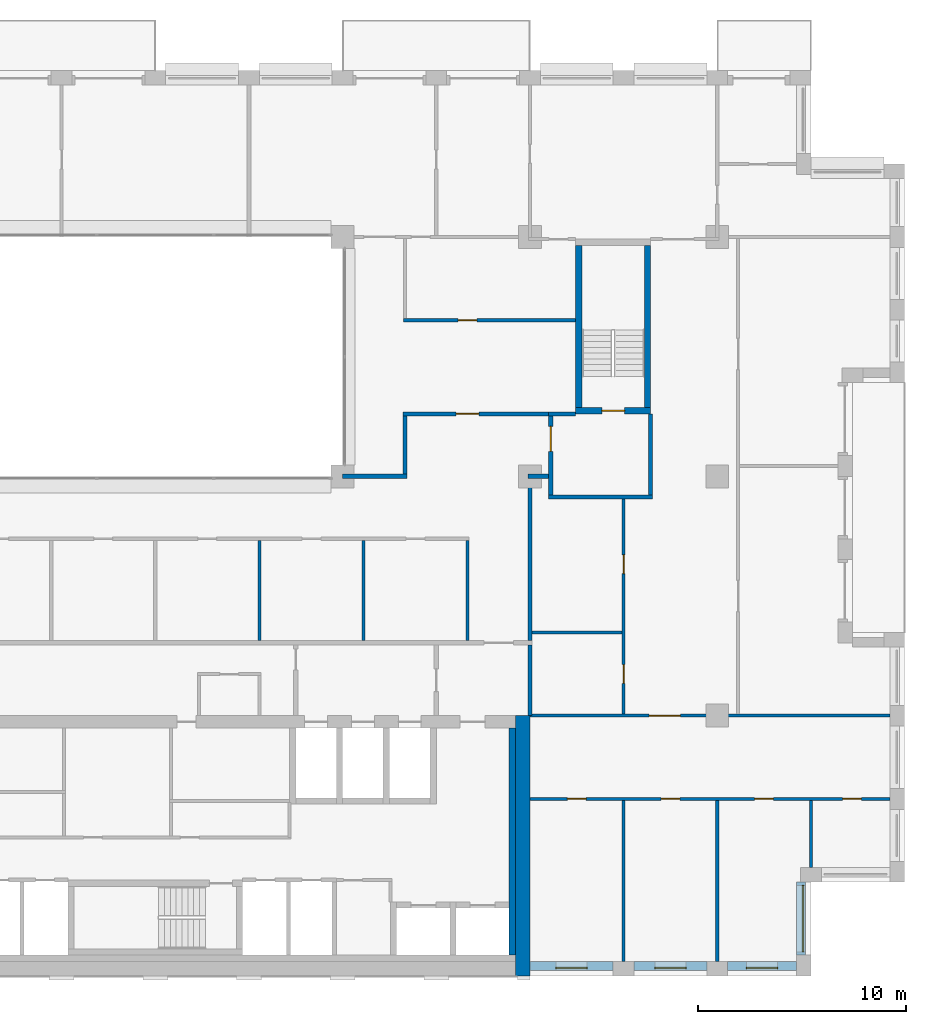
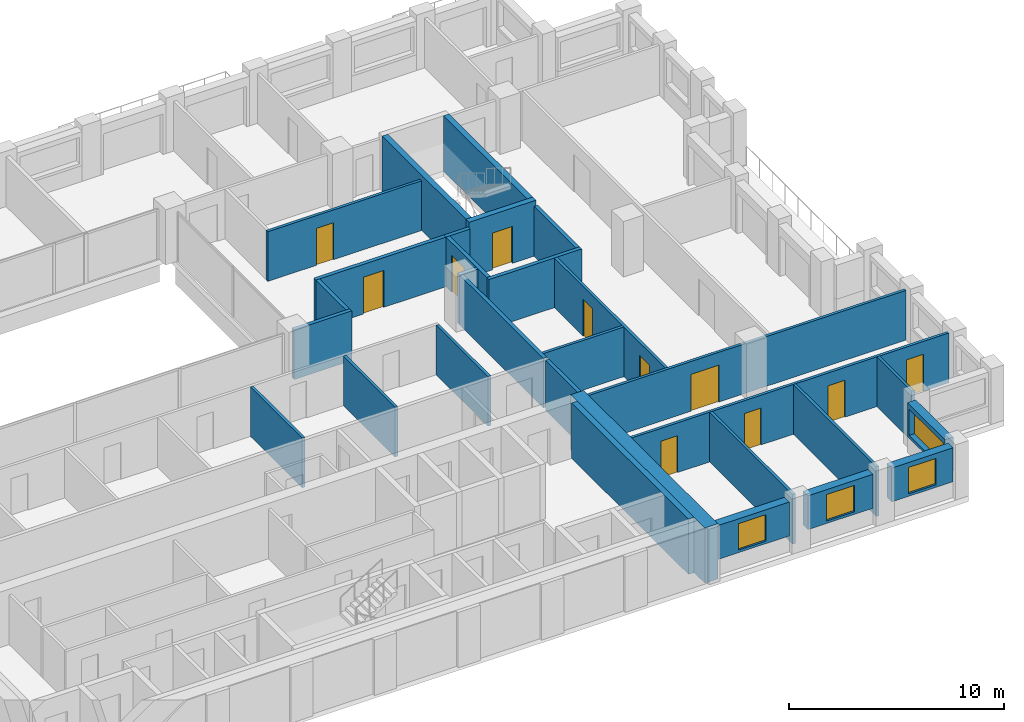
# One storey, part 11 of 15: 30 walls, 11 doors, 4 windows, 15 openings.
"""IFC4 building model written with IfcOpenShell, lengths in metres."""

from ifc_helpers import new_model, si_unit, direction, frame, frame_2d, origin, place, context, subcontext, project, spatial, rectangle, extrude, material, layer, layer_set, type_object, element, fill, save


model = new_model("IFC4")

# Units and contexts
model_context = context("Model", 3, precision=1e-05, world=origin(), true_north=direction((0.0, 1.0)))
body_context = subcontext(model_context, "Body", "Model", "MODEL_VIEW")
ifc_project = project(units=[si_unit("LENGTHUNIT", "METRE"), si_unit("AREAUNIT", "SQUARE_METRE"), si_unit("VOLUMEUNIT", "CUBIC_METRE"), si_unit("PLANEANGLEUNIT", "RADIAN"), si_unit("MASSUNIT", "GRAM", prefix="KILO")], contexts=[model_context])

# Site, building, storey
site_placement = place(None, origin())
site = spatial("IfcSite", under=ifc_project, at=site_placement, CompositionType="ELEMENT")
building_placement = place(site_placement, origin())
building = spatial("IfcBuilding", under=site, at=building_placement, Name="Brigalow Station Residences", CompositionType="ELEMENT")
storey_placement = place(building_placement, frame((0.0, 0.0, 150.75)))
storey = spatial("IfcBuildingStorey", under=building, at=storey_placement, Name="L43", CompositionType="ELEMENT", Elevation=150.75)

# Wall, opening, window
ifc_material_1 = material(Name="Clay brick masonry", Category="masonry")
ifc_layer_1 = layer(ifc_material_1, 0.449951171875)
ifc_layer_set_1 = layer_set([ifc_layer_1], Name="BRICK INFILL WALL 450")
wall_type_1 = type_object("IfcWallType", Name="BRICK INFILL WALL 450", PredefinedType="SOLIDWALL", material=ifc_layer_set_1)
wall_1_placement = place(storey_placement, frame((54.0, 0.47509765625, 0.89990234375), z_axis=(0.0, 0.0, 1.0), x_axis=(1.0, 0.0, 0.0)))
wall_1 = element("IfcWall", 1, at=wall_1_placement, inside=storey, type_object=wall_type_1, Name="L43/ewall/W-L43-4", PredefinedType="SOLIDWALL", context=body_context, shape_type="SweptSolid", body=[
    extrude(rectangle(XDim=4.0, YDim=0.449951171875, at=frame_2d((2.0, 0.0))), origin(), (0.0, 0.0, 1.0), 1.93017578125),
])
opening_1_placement = place(wall_1_placement, frame((1.25, 0.0, 0.14990234375)))
opening_1 = element("IfcOpeningElement", 2, at=opening_1_placement, cuts=wall_1, Name="Opening WT-1", PredefinedType="OPENING", context=body_context, shape_type="SweptSolid", body=[
    extrude(rectangle(XDim=1.5, YDim=1.5, at=frame_2d((0.75, 0.75))), frame((0.0, 0.23486328125, 0.0), z_axis=(0.0, -1.0, 0.0), x_axis=(1.0, 0.0, 0.0)), (0.0, 0.0, 1.0), 0.469970703125),
])
ifc_material_2 = material(Name="Anodised aluminium frame with double glazing", Category="aluminium")
window_type_1 = type_object("IfcWindowType", Name="WINDOW 1500x1500", PartitioningType="SINGLE_PANEL", PredefinedType="WINDOW", material=ifc_material_2)
window_1_placement = place(opening_1_placement, origin())
window_1 = element("IfcWindow", 3, at=window_1_placement, inside=storey, type_object=window_type_1, Name="L43/window/W-L43-4", OverallHeight=1.5, OverallWidth=1.5, PartitioningType="SINGLE_PANEL", PredefinedType="WINDOW", context=body_context, shape_type="SweptSolid", body=[
    extrude(rectangle(XDim=1.5, YDim=1.5, at=frame_2d((0.75, 0.75))), frame((0.0, -0.06494140625, 0.0), z_axis=(0.0, -1.0, 0.0), x_axis=(1.0, 0.0, 0.0)), (0.0, 0.0, 1.0), 0.06005859375),
])
fill(opening_1, window_1)

wall_2_placement = place(storey_placement, frame((59.0, 0.47509765625, 0.89990234375), z_axis=(0.0, 0.0, 1.0), x_axis=(1.0, 0.0, 0.0)))
wall_2 = element("IfcWall", 4, at=wall_2_placement, inside=storey, type_object=wall_type_1, Name="L43/ewall/W-L43-5", PredefinedType="SOLIDWALL", context=body_context, shape_type="SweptSolid", body=[
    extrude(rectangle(XDim=3.5, YDim=0.449951171875, at=frame_2d((1.75, 0.0))), origin(), (0.0, 0.0, 1.0), 1.93017578125),
])
opening_2_placement = place(wall_2_placement, frame((1.0, 0.0, 0.14990234375)))
opening_2 = element("IfcOpeningElement", 5, at=opening_2_placement, cuts=wall_2, Name="Opening WT-1", PredefinedType="OPENING", context=body_context, shape_type="SweptSolid", body=[
    extrude(rectangle(XDim=1.5, YDim=1.5, at=frame_2d((0.75, 0.75))), frame((0.0, 0.23486328125, 0.0), z_axis=(0.0, -1.0, 0.0), x_axis=(1.0, 0.0, 0.0)), (0.0, 0.0, 1.0), 0.469970703125),
])
window_2_placement = place(opening_2_placement, origin())
window_2 = element("IfcWindow", 6, at=window_2_placement, inside=storey, type_object=window_type_1, Name="L43/window/W-L43-5", OverallHeight=1.5, OverallWidth=1.5, PartitioningType="SINGLE_PANEL", PredefinedType="WINDOW", context=body_context, shape_type="SweptSolid", body=[
    extrude(rectangle(XDim=1.5, YDim=1.5, at=frame_2d((0.75, 0.75))), frame((0.0, -0.06494140625, 0.0), z_axis=(0.0, -1.0, 0.0), x_axis=(1.0, 0.0, 0.0)), (0.0, 0.0, 1.0), 0.06005859375),
])
fill(opening_2, window_2)

wall_3_placement = place(storey_placement, frame((63.5, 0.47509765625, 0.89990234375), z_axis=(0.0, 0.0, 1.0), x_axis=(1.0, 0.0, 0.0)))
wall_3 = element("IfcWall", 7, at=wall_3_placement, inside=storey, type_object=wall_type_1, Name="L43/ewall/W-L43-6", PredefinedType="SOLIDWALL", context=body_context, shape_type="SweptSolid", body=[
    extrude(rectangle(XDim=3.300048828125, YDim=0.449951171875, at=frame_2d((1.64990234375, 0.0))), origin(), (0.0, 0.0, 1.0), 1.93017578125),
])
opening_3_placement = place(wall_3_placement, frame((0.89990234375, 0.0, 0.14990234375)))
opening_3 = element("IfcOpeningElement", 8, at=opening_3_placement, cuts=wall_3, Name="Opening WT-1", PredefinedType="OPENING", context=body_context, shape_type="SweptSolid", body=[
    extrude(rectangle(XDim=1.5, YDim=1.5, at=frame_2d((0.75, 0.75))), frame((0.0, 0.23486328125, 0.0), z_axis=(0.0, -1.0, 0.0), x_axis=(1.0, 0.0, 0.0)), (0.0, 0.0, 1.0), 0.469970703125),
])
window_3_placement = place(opening_3_placement, origin())
window_3 = element("IfcWindow", 9, at=window_3_placement, inside=storey, type_object=window_type_1, Name="L43/window/W-L43-6", OverallHeight=1.5, OverallWidth=1.5, PartitioningType="SINGLE_PANEL", PredefinedType="WINDOW", context=body_context, shape_type="SweptSolid", body=[
    extrude(rectangle(XDim=1.5, YDim=1.5, at=frame_2d((0.75, 0.75))), frame((0.0, -0.06494140625, 0.0), z_axis=(0.0, -1.0, 0.0), x_axis=(1.0, 0.0, 0.0)), (0.0, 0.0, 1.0), 0.06005859375),
])
fill(opening_3, window_3)

wall_4_placement = place(storey_placement, frame((67.02490234375, 1.0, 0.89990234375), z_axis=(0.0, 0.0, 1.0), x_axis=(0.0, 1.0, 0.0)))
wall_4 = element("IfcWall", 10, at=wall_4_placement, inside=storey, type_object=wall_type_1, Name="L43/ewall/W-L43-7", PredefinedType="SOLIDWALL", context=body_context, shape_type="SweptSolid", body=[
    extrude(rectangle(XDim=3.5, YDim=0.449951171875, at=frame_2d((1.75, 0.0))), origin(), (0.0, 0.0, 1.0), 1.93017578125),
])
opening_4_placement = place(wall_4_placement, frame((0.14990234375, 0.0, 0.14990234375)))
opening_4 = element("IfcOpeningElement", 11, at=opening_4_placement, cuts=wall_4, Name="Opening WT-9", PredefinedType="OPENING", context=body_context, shape_type="SweptSolid", body=[
    extrude(rectangle(XDim=3.199951171875, YDim=1.5, at=frame_2d((1.60009765625, 0.75))), frame((0.0, 0.23486328125, 0.0), z_axis=(0.0, -1.0, 0.0), x_axis=(1.0, 0.0, 0.0)), (0.0, 0.0, 1.0), 0.469970703125),
])
ifc_material_3 = material(Name="Anodised aluminium frame with double glazing", Category="aluminium")
window_type_2 = type_object("IfcWindowType", Name="WINDOW 3200x1500", PartitioningType="SINGLE_PANEL", PredefinedType="WINDOW", material=ifc_material_3)
window_4_placement = place(opening_4_placement, origin())
window_4 = element("IfcWindow", 12, at=window_4_placement, inside=storey, type_object=window_type_2, Name="L43/window/W-L43-7", OverallHeight=1.5, OverallWidth=3.199951171875, PartitioningType="SINGLE_PANEL", PredefinedType="WINDOW", context=body_context, shape_type="SweptSolid", body=[
    extrude(rectangle(XDim=3.199951171875, YDim=1.5, at=frame_2d((1.60009765625, 0.75))), frame((0.0, -0.06494140625, 0.0), z_axis=(0.0, -1.0, 0.0), x_axis=(1.0, 0.0, 0.0)), (0.0, 0.0, 1.0), 0.06005859375),
])
fill(opening_4, window_4)

# Wall
ifc_material_4 = material(Name="Concrete C65", Category="concrete")
ifc_layer_2 = layer(ifc_material_4, 0.300048828125)
ifc_layer_set_2 = layer_set([ifc_layer_2], Name="CORE SHEAR WALL 300 C65")
wall_type_2 = type_object("IfcWallType", Name="CORE SHEAR WALL 300 C65", PredefinedType="SHEAR", material=ifc_layer_set_2)
wall_5_placement = place(storey_placement, frame((53.14990234375, 1.0, 0.0), z_axis=(0.0, 0.0, 1.0), x_axis=(0.0, 1.0, 0.0)))
element("IfcWall", 13, at=wall_5_placement, inside=storey, type_object=wall_type_2, Name="CORE WALL LIN-E L43", PredefinedType="SHEAR", context=body_context, shape_type="SweptSolid", body=[
    extrude(rectangle(XDim=10.89990234375, YDim=0.300048828125, at=frame_2d((5.449951171875, 0.0))), origin(), (0.0, 0.0, 1.0), 3.14990234375),
])

# Wall, opening, door
wall_6_placement = place(storey_placement, frame((56.199951171875, 27.14990234375, 0.0), z_axis=(0.0, 0.0, 1.0), x_axis=(1.0, 0.0, 0.0)))
wall_6 = element("IfcWall", 14, at=wall_6_placement, inside=storey, type_object=wall_type_2, Name="CORE WALL ST-S3-S L43", PredefinedType="SHEAR", context=body_context, shape_type="SweptSolid", body=[
    extrude(rectangle(XDim=3.60009765625, YDim=0.300048828125, at=frame_2d((1.800048828125, 0.0))), origin(), (0.0, 0.0, 1.0), 3.14990234375),
])
opening_5_placement = place(wall_6_placement, frame((1.25, 0.0, 0.0)))
opening_5 = element("IfcOpeningElement", 15, at=opening_5_placement, cuts=wall_6, Name="Opening D-5018", PredefinedType="OPENING", context=body_context, shape_type="SweptSolid", body=[
    extrude(rectangle(XDim=1.10009765625, YDim=2.10009765625, at=frame_2d((0.550048828125, 1.050048828125))), frame((0.0, 0.16015625, 0.0), z_axis=(0.0, -1.0, 0.0), x_axis=(1.0, 0.0, 0.0)), (0.0, 0.0, 1.0), 0.320068359375),
])
ifc_material_5 = material(Name="Steel fire door leaf in steel frame", Category="steel")
door_type_1 = type_object("IfcDoorType", Name="STAIR DOOR 1100 x 2100 FD60S", OperationType="SINGLE_SWING_LEFT", PredefinedType="DOOR", material=ifc_material_5)
door_1_placement = place(opening_5_placement, origin())
door_1 = element("IfcDoor", 16, at=door_1_placement, inside=storey, type_object=door_type_1, Name="D-5018", OperationType="SINGLE_SWING_LEFT", OverallHeight=2.10009765625, OverallWidth=1.10009765625, PredefinedType="DOOR", context=body_context, shape_type="SweptSolid", body=[
    extrude(rectangle(XDim=1.10009765625, YDim=2.10009765625, at=frame_2d((0.550048828125, 1.050048828125))), frame((0.0, 0.02490234375, 0.0), z_axis=(0.0, -1.0, 0.0), x_axis=(1.0, 0.0, 0.0)), (0.0, 0.0, 1.0), 0.050048828125),
])
fill(opening_5, door_1)

# Walls
for number, where, z_axis, x_axis, name in (
    (17, (56.35009765625, 27.300048828125, 0.0), (0.0, 0.0, 1.0), (0.0, 1.0, 0.0), "CORE WALL ST-S3-W L43"),
    (18, (59.64990234375, 27.300048828125, 0.0), (0.0, 0.0, 1.0), (0.0, 1.0, 0.0), "CORE WALL ST-S3-E L43"),
):
    element("IfcWall", number, at=place(storey_placement, frame(where, z_axis=z_axis, x_axis=x_axis)), inside=storey, type_object=wall_type_2, Name=name, PredefinedType="SHEAR", context=body_context, shape_type="SweptSolid", body=[
        extrude(rectangle(XDim=7.800048828125, YDim=0.300048828125, at=frame_2d((3.89990234375, 0.0))), origin(), (0.0, 0.0, 1.0), 3.14990234375),
    ])
ifc_material_6 = material(Name="Concrete C65", Category="concrete")
ifc_layer_3 = layer(ifc_material_6, 0.699951171875)
ifc_layer_set_3 = layer_set([ifc_layer_3], Name="CORE SHEAR WALL 700 C65")
wall_type_3 = type_object("IfcWallType", Name="CORE SHEAR WALL 700 C65", PredefinedType="SHEAR", material=ifc_layer_set_3)
wall_7_placement = place(storey_placement, frame((53.64990234375, 0.0, 0.0), z_axis=(0.0, 0.0, 1.0), x_axis=(0.0, 1.0, 0.0)))
element("IfcWall", 19, at=wall_7_placement, inside=storey, type_object=wall_type_3, Name="CORE WALL OUT-E L43", PredefinedType="SHEAR", context=body_context, shape_type="SweptSolid", body=[
    extrude(rectangle(XDim=12.5, YDim=0.699951171875, at=frame_2d((6.25, 0.0))), origin(), (0.0, 0.0, 1.0), 3.14990234375),
])
ifc_material_7 = material(Name="Concrete blockwork", Category="masonry")
ifc_layer_4 = layer(ifc_material_7, 0.199951171875)
ifc_layer_set_4 = layer_set([ifc_layer_4], Name="FIRE RATED CORE PARTITION 200")
wall_type_4 = type_object("IfcWallType", Name="FIRE RATED CORE PARTITION 200", PredefinedType="PARTITIONING", material=ifc_layer_set_4)
wall_8_placement = place(storey_placement, frame((54.89990234375, 23.0, 0.0), z_axis=(0.0, 0.0, 1.0), x_axis=(1.0, 0.0, 0.0)))
element("IfcWall", 20, at=wall_8_placement, inside=storey, type_object=wall_type_4, Name="PW-5024", PredefinedType="PARTITIONING", context=body_context, shape_type="SweptSolid", body=[
    extrude(rectangle(XDim=5.0, YDim=0.199951171875, at=frame_2d((2.5, 0.0))), origin(), (0.0, 0.0, 1.0), 2.830078125),
])
wall_9_placement = place(storey_placement, frame((54.89990234375, 27.0, 0.0), z_axis=(0.0, 0.0, 1.0), x_axis=(1.0, 0.0, 0.0)))
element("IfcWall", 21, at=wall_9_placement, inside=storey, type_object=wall_type_4, Name="PW-5026", PredefinedType="PARTITIONING", context=body_context, shape_type="SweptSolid", body=[
    extrude(rectangle(XDim=1.300048828125, YDim=0.199951171875, at=frame_2d((0.64990234375, 0.0))), origin(), (0.0, 0.0, 1.0), 2.830078125),
])
wall_10_placement = place(storey_placement, frame((54.0, 12.5, 0.0), z_axis=(0.0, 0.0, 1.0), x_axis=(0.0, 1.0, 0.0)))
element("IfcWall", 22, at=wall_10_placement, inside=storey, type_object=wall_type_4, Name="PW-5016", PredefinedType="PARTITIONING", context=body_context, shape_type="SweptSolid", body=[
    extrude(rectangle(XDim=3.39990234375, YDim=0.199951171875, at=frame_2d((1.699951171875, 0.0))), origin(), (0.0, 0.0, 1.0), 2.830078125),
])

# Wall, opening, door
wall_11_placement = place(storey_placement, frame((55.0, 23.10009765625, 0.0), z_axis=(0.0, 0.0, 1.0), x_axis=(0.0, 1.0, 0.0)))
wall_11 = element("IfcWall", 23, at=wall_11_placement, inside=storey, type_object=wall_type_4, Name="PW-5036", PredefinedType="PARTITIONING", context=body_context, shape_type="SweptSolid", body=[
    extrude(rectangle(XDim=3.7998046875, YDim=0.199951171875, at=frame_2d((1.89990234375, 0.0))), origin(), (0.0, 0.0, 1.0), 2.830078125),
])
opening_6_placement = place(wall_11_placement, frame((2.10009765625, 0.0, 0.0)))
opening_6 = element("IfcOpeningElement", 24, at=opening_6_placement, cuts=wall_11, Name="Opening D-5019", PredefinedType="OPENING", context=body_context, shape_type="SweptSolid", body=[
    extrude(rectangle(XDim=1.199951171875, YDim=2.10009765625, at=frame_2d((0.60009765625, 1.050048828125))), frame((0.0, 0.10986328125, 0.0), z_axis=(0.0, -1.0, 0.0), x_axis=(1.0, 0.0, 0.0)), (0.0, 0.0, 1.0), 0.219970703125),
])
ifc_material_8 = material(Name="Steel fire door leaf in steel frame", Category="steel")
door_type_2 = type_object("IfcDoorType", Name="STAIR LOBBY DOOR 1200 x 2100 FD60S", OperationType="SINGLE_SWING_LEFT", PredefinedType="DOOR", material=ifc_material_8)
door_2_placement = place(opening_6_placement, frame((1.199951171875, 0.0, 0.0), z_axis=(0.0, 0.0, 1.0), x_axis=(-1.0, 0.0, 0.0)))
door_2 = element("IfcDoor", 25, at=door_2_placement, inside=storey, type_object=door_type_2, Name="D-5019", OperationType="SINGLE_SWING_LEFT", OverallHeight=2.10009765625, OverallWidth=1.199951171875, PredefinedType="DOOR", context=body_context, shape_type="SweptSolid", body=[
    extrude(rectangle(XDim=1.199951171875, YDim=2.10009765625, at=frame_2d((0.60009765625, 1.050048828125))), frame((0.0, 0.02490234375, 0.0), z_axis=(0.0, -1.0, 0.0), x_axis=(1.0, 0.0, 0.0)), (0.0, 0.0, 1.0), 0.050048828125),
])
fill(opening_6, door_2)

# Wall
wall_12_placement = place(storey_placement, frame((59.800048828125, 23.10009765625, 0.0), z_axis=(0.0, 0.0, 1.0), x_axis=(0.0, 1.0, 0.0)))
element("IfcWall", 26, at=wall_12_placement, inside=storey, type_object=wall_type_4, Name="PW-5037", PredefinedType="PARTITIONING", context=body_context, shape_type="SweptSolid", body=[
    extrude(rectangle(XDim=3.89990234375, YDim=0.199951171875, at=frame_2d((1.949951171875, 0.0))), origin(), (0.0, 0.0, 1.0), 2.830078125),
])

# Wall, opening, door
ifc_material_9 = material(Name="Plasterboard on steel stud partition", Category="steel")
ifc_layer_5 = layer(ifc_material_9, 0.14990234375)
ifc_layer_set_5 = layer_set([ifc_layer_5], Name="FLAT PARTITION 150")
wall_type_5 = type_object("IfcWallType", Name="FLAT PARTITION 150", PredefinedType="PARTITIONING", material=ifc_layer_set_5)
wall_13_placement = place(storey_placement, frame((47.925048828125, 31.5, 0.0), z_axis=(0.0, 0.0, 1.0), x_axis=(1.0, 0.0, 0.0)))
wall_13 = element("IfcWall", 27, at=wall_13_placement, inside=storey, type_object=wall_type_5, Name="PW-3B09", PredefinedType="PARTITIONING", context=body_context, shape_type="SweptSolid", body=[
    extrude(rectangle(XDim=8.27490234375, YDim=0.14990234375, at=frame_2d((4.137451171875, 0.0))), origin(), (0.0, 0.0, 1.0), 2.830078125),
])
opening_7_placement = place(wall_13_placement, frame((2.625, 0.0, 0.0)))
opening_7 = element("IfcOpeningElement", 28, at=opening_7_placement, cuts=wall_13, Name="Opening D-3B18", PredefinedType="OPENING", context=body_context, shape_type="SweptSolid", body=[
    extrude(rectangle(XDim=0.89990234375, YDim=2.10009765625, at=frame_2d((0.449951171875, 1.050048828125))), frame((0.0, 0.0849609375, 0.0), z_axis=(0.0, -1.0, 0.0), x_axis=(1.0, 0.0, 0.0)), (0.0, 0.0, 1.0), 0.169921875),
])
ifc_material_10 = material(Name="Solid-core timber door leaf", Category="wood")
door_type_3 = type_object("IfcDoorType", Name="INTERNAL DOOR 900 x 2100", OperationType="SINGLE_SWING_LEFT", PredefinedType="DOOR", material=ifc_material_10)
door_3_placement = place(opening_7_placement, origin())
door_3 = element("IfcDoor", 29, at=door_3_placement, inside=storey, type_object=door_type_3, Name="D-3B18", OperationType="SINGLE_SWING_LEFT", OverallHeight=2.10009765625, OverallWidth=0.89990234375, PredefinedType="DOOR", context=body_context, shape_type="SweptSolid", body=[
    extrude(rectangle(XDim=0.89990234375, YDim=2.10009765625, at=frame_2d((0.449951171875, 1.050048828125))), frame((0.0, 0.02490234375, 0.0), z_axis=(0.0, -1.0, 0.0), x_axis=(1.0, 0.0, 0.0)), (0.0, 0.0, 1.0), 0.050048828125),
])
fill(opening_7, door_3)

# Wall
wall_14_placement = place(storey_placement, frame((54.10009765625, 16.5, 0.0), z_axis=(0.0, 0.0, 1.0), x_axis=(1.0, 0.0, 0.0)))
element("IfcWall", 30, at=wall_14_placement, inside=storey, type_object=wall_type_5, Name="PW-3B20", PredefinedType="PARTITIONING", context=body_context, shape_type="SweptSolid", body=[
    extrude(rectangle(XDim=4.324951171875, YDim=0.14990234375, at=frame_2d((2.16259765625, 0.0))), origin(), (0.0, 0.0, 1.0), 2.830078125),
])

# Wall, openings, doors
wall_15_placement = place(storey_placement, frame((54.0, 8.5, 0.0), z_axis=(0.0, 0.0, 1.0), x_axis=(1.0, 0.0, 0.0)))
wall_15 = element("IfcWall", 31, at=wall_15_placement, inside=storey, type_object=wall_type_5, Name="PW-3B22", PredefinedType="PARTITIONING", context=body_context, shape_type="SweptSolid", body=[
    extrude(rectangle(XDim=17.300048828125, YDim=0.14990234375, at=frame_2d((8.64990234375, 0.0))), origin(), (0.0, 0.0, 1.0), 2.830078125),
])
opening_8_placement = place(wall_15_placement, frame((1.800048828125, 0.0, 0.0)))
opening_8 = element("IfcOpeningElement", 32, at=opening_8_placement, cuts=wall_15, Name="Opening D-3B32", PredefinedType="OPENING", context=body_context, shape_type="SweptSolid", body=[
    extrude(rectangle(XDim=0.89990234375, YDim=2.10009765625, at=frame_2d((0.449951171875, 1.050048828125))), frame((0.0, 0.0849609375, 0.0), z_axis=(0.0, -1.0, 0.0), x_axis=(1.0, 0.0, 0.0)), (0.0, 0.0, 1.0), 0.169921875),
])
opening_9_placement = place(wall_15_placement, frame((6.300048828125, 0.0, 0.0)))
opening_9 = element("IfcOpeningElement", 33, at=opening_9_placement, cuts=wall_15, Name="Opening D-3B33", PredefinedType="OPENING", context=body_context, shape_type="SweptSolid", body=[
    extrude(rectangle(XDim=0.89990234375, YDim=2.10009765625, at=frame_2d((0.449951171875, 1.050048828125))), frame((0.0, 0.0849609375, 0.0), z_axis=(0.0, -1.0, 0.0), x_axis=(1.0, 0.0, 0.0)), (0.0, 0.0, 1.0), 0.169921875),
])
opening_10_placement = place(wall_15_placement, frame((10.800048828125, 0.0, 0.0)))
opening_10 = element("IfcOpeningElement", 34, at=opening_10_placement, cuts=wall_15, Name="Opening D-3B34", PredefinedType="OPENING", context=body_context, shape_type="SweptSolid", body=[
    extrude(rectangle(XDim=0.89990234375, YDim=2.10009765625, at=frame_2d((0.449951171875, 1.050048828125))), frame((0.0, 0.0849609375, 0.0), z_axis=(0.0, -1.0, 0.0), x_axis=(1.0, 0.0, 0.0)), (0.0, 0.0, 1.0), 0.169921875),
])
opening_11_placement = place(wall_15_placement, frame((15.02490234375, 0.0, 0.0)))
opening_11 = element("IfcOpeningElement", 35, at=opening_11_placement, cuts=wall_15, Name="Opening D-3B35", PredefinedType="OPENING", context=body_context, shape_type="SweptSolid", body=[
    extrude(rectangle(XDim=0.89990234375, YDim=2.10009765625, at=frame_2d((0.449951171875, 1.050048828125))), frame((0.0, 0.0849609375, 0.0), z_axis=(0.0, -1.0, 0.0), x_axis=(1.0, 0.0, 0.0)), (0.0, 0.0, 1.0), 0.169921875),
])
door_4_placement = place(opening_8_placement, frame((0.89990234375, 0.0, 0.0), z_axis=(0.0, 0.0, 1.0), x_axis=(-1.0, 0.0, 0.0)))
door_4 = element("IfcDoor", 36, at=door_4_placement, inside=storey, type_object=door_type_3, Name="D-3B32", OperationType="SINGLE_SWING_LEFT", OverallHeight=2.10009765625, OverallWidth=0.89990234375, PredefinedType="DOOR", context=body_context, shape_type="SweptSolid", body=[
    extrude(rectangle(XDim=0.89990234375, YDim=2.10009765625, at=frame_2d((0.449951171875, 1.050048828125))), frame((0.0, 0.02490234375, 0.0), z_axis=(0.0, -1.0, 0.0), x_axis=(1.0, 0.0, 0.0)), (0.0, 0.0, 1.0), 0.050048828125),
])
fill(opening_8, door_4)
door_5_placement = place(opening_9_placement, frame((0.89990234375, 0.0, 0.0), z_axis=(0.0, 0.0, 1.0), x_axis=(-1.0, 0.0, 0.0)))
door_5 = element("IfcDoor", 37, at=door_5_placement, inside=storey, type_object=door_type_3, Name="D-3B33", OperationType="SINGLE_SWING_RIGHT", OverallHeight=2.10009765625, OverallWidth=0.89990234375, PredefinedType="DOOR", context=body_context, shape_type="SweptSolid", body=[
    extrude(rectangle(XDim=0.89990234375, YDim=2.10009765625, at=frame_2d((0.449951171875, 1.050048828125))), frame((0.0, 0.02490234375, 0.0), z_axis=(0.0, -1.0, 0.0), x_axis=(1.0, 0.0, 0.0)), (0.0, 0.0, 1.0), 0.050048828125),
])
fill(opening_9, door_5)
door_6_placement = place(opening_10_placement, frame((0.89990234375, 0.0, 0.0), z_axis=(0.0, 0.0, 1.0), x_axis=(-1.0, 0.0, 0.0)))
door_6 = element("IfcDoor", 38, at=door_6_placement, inside=storey, type_object=door_type_3, Name="D-3B34", OperationType="SINGLE_SWING_RIGHT", OverallHeight=2.10009765625, OverallWidth=0.89990234375, PredefinedType="DOOR", context=body_context, shape_type="SweptSolid", body=[
    extrude(rectangle(XDim=0.89990234375, YDim=2.10009765625, at=frame_2d((0.449951171875, 1.050048828125))), frame((0.0, 0.02490234375, 0.0), z_axis=(0.0, -1.0, 0.0), x_axis=(1.0, 0.0, 0.0)), (0.0, 0.0, 1.0), 0.050048828125),
])
fill(opening_10, door_6)
door_7_placement = place(opening_11_placement, frame((0.89990234375, 0.0, 0.0), z_axis=(0.0, 0.0, 1.0), x_axis=(-1.0, 0.0, 0.0)))
door_7 = element("IfcDoor", 39, at=door_7_placement, inside=storey, type_object=door_type_3, Name="D-3B35", OperationType="SINGLE_SWING_LEFT", OverallHeight=2.10009765625, OverallWidth=0.89990234375, PredefinedType="DOOR", context=body_context, shape_type="SweptSolid", body=[
    extrude(rectangle(XDim=0.89990234375, YDim=2.10009765625, at=frame_2d((0.449951171875, 1.050048828125))), frame((0.0, 0.02490234375, 0.0), z_axis=(0.0, -1.0, 0.0), x_axis=(1.0, 0.0, 0.0)), (0.0, 0.0, 1.0), 0.050048828125),
])
fill(opening_11, door_7)

# Wall, opening, door
wall_16_placement = place(storey_placement, frame((54.0, 12.5, 0.0), z_axis=(0.0, 0.0, 1.0), x_axis=(1.0, 0.0, 0.0)))
wall_16 = element("IfcWall", 40, at=wall_16_placement, inside=storey, type_object=wall_type_5, Name="PW-3B24", PredefinedType="PARTITIONING", context=body_context, shape_type="SweptSolid", body=[
    extrude(rectangle(XDim=17.300048828125, YDim=0.14990234375, at=frame_2d((8.64990234375, 0.0))), origin(), (0.0, 0.0, 1.0), 2.830078125),
])
opening_12_placement = place(wall_16_placement, frame((5.72509765625, 0.0, 0.0)))
opening_12 = element("IfcOpeningElement", 41, at=opening_12_placement, cuts=wall_16, Name="Opening D-3B31", PredefinedType="OPENING", context=body_context, shape_type="SweptSolid", body=[
    extrude(rectangle(XDim=1.5, YDim=2.10009765625, at=frame_2d((0.75, 1.050048828125))), frame((0.0, 0.0849609375, 0.0), z_axis=(0.0, -1.0, 0.0), x_axis=(1.0, 0.0, 0.0)), (0.0, 0.0, 1.0), 0.169921875),
])
ifc_material_11 = material(Name="Solid-core timber door leaf", Category="wood")
door_type_4 = type_object("IfcDoorType", Name="INTERNAL DOUBLE DOOR 1500 x 2100", OperationType="DOUBLE_DOOR_SINGLE_SWING", PredefinedType="DOOR", material=ifc_material_11)
door_8_placement = place(opening_12_placement, frame((1.5, 0.0, 0.0), z_axis=(0.0, 0.0, 1.0), x_axis=(-1.0, 0.0, 0.0)))
door_8 = element("IfcDoor", 42, at=door_8_placement, inside=storey, type_object=door_type_4, Name="D-3B31", OperationType="DOUBLE_DOOR_SINGLE_SWING", OverallHeight=2.10009765625, OverallWidth=1.5, PredefinedType="DOOR", context=body_context, shape_type="SweptSolid", body=[
    extrude(rectangle(XDim=1.5, YDim=2.10009765625, at=frame_2d((0.75, 1.050048828125))), frame((0.0, 0.02490234375, 0.0), z_axis=(0.0, -1.0, 0.0), x_axis=(1.0, 0.0, 0.0)), (0.0, 0.0, 1.0), 0.050048828125),
])
fill(opening_12, door_8)

# Walls
wall_17_placement = place(storey_placement, frame((51.0, 16.10009765625, 0.0), z_axis=(0.0, 0.0, 1.0), x_axis=(0.0, 1.0, 0.0)))
element("IfcWall", 43, at=wall_17_placement, inside=storey, type_object=wall_type_5, Name="PW-3B31", PredefinedType="PARTITIONING", context=body_context, shape_type="SweptSolid", body=[
    extrude(rectangle(XDim=4.824951171875, YDim=0.14990234375, at=frame_2d((2.41259765625, 0.0))), origin(), (0.0, 0.0, 1.0), 2.830078125),
])
for number, where, z_axis, x_axis, name in (
    (44, (63.0, 0.699951171875, 0.0), (0.0, 0.0, 1.0), (0.0, 1.0, 0.0), "PW-3B43"),
    (45, (58.5, 0.699951171875, 0.0), (0.0, 0.0, 1.0), (0.0, 1.0, 0.0), "PW-3B46"),
):
    element("IfcWall", number, at=place(storey_placement, frame(where, z_axis=z_axis, x_axis=x_axis)), inside=storey, type_object=wall_type_5, Name=name, PredefinedType="PARTITIONING", context=body_context, shape_type="SweptSolid", body=[
        extrude(rectangle(XDim=7.72509765625, YDim=0.14990234375, at=frame_2d((3.862548828125, 0.0))), origin(), (0.0, 0.0, 1.0), 2.830078125),
    ])

# Wall, openings, doors
wall_18_placement = place(storey_placement, frame((58.5, 12.574951171875, 0.0), z_axis=(0.0, 0.0, 1.0), x_axis=(0.0, 1.0, 0.0)))
wall_18 = element("IfcWall", 46, at=wall_18_placement, inside=storey, type_object=wall_type_5, Name="PW-3B47", PredefinedType="PARTITIONING", context=body_context, shape_type="SweptSolid", body=[
    extrude(rectangle(XDim=10.324951171875, YDim=0.14990234375, at=frame_2d((5.16259765625, 0.0))), origin(), (0.0, 0.0, 1.0), 2.830078125),
])
opening_13_placement = place(wall_18_placement, frame((6.75, 0.0, 0.0)))
opening_13 = element("IfcOpeningElement", 47, at=opening_13_placement, cuts=wall_18, Name="Opening D-3B29", PredefinedType="OPENING", context=body_context, shape_type="SweptSolid", body=[
    extrude(rectangle(XDim=0.89990234375, YDim=2.10009765625, at=frame_2d((0.449951171875, 1.050048828125))), frame((0.0, 0.0849609375, 0.0), z_axis=(0.0, -1.0, 0.0), x_axis=(1.0, 0.0, 0.0)), (0.0, 0.0, 1.0), 0.169921875),
])
opening_14_placement = place(wall_18_placement, frame((1.47509765625, 0.0, 0.0)))
opening_14 = element("IfcOpeningElement", 48, at=opening_14_placement, cuts=wall_18, Name="Opening D-3B30", PredefinedType="OPENING", context=body_context, shape_type="SweptSolid", body=[
    extrude(rectangle(XDim=0.89990234375, YDim=2.10009765625, at=frame_2d((0.449951171875, 1.050048828125))), frame((0.0, 0.0849609375, 0.0), z_axis=(0.0, -1.0, 0.0), x_axis=(1.0, 0.0, 0.0)), (0.0, 0.0, 1.0), 0.169921875),
])
door_9_placement = place(opening_13_placement, origin())
door_9 = element("IfcDoor", 49, at=door_9_placement, inside=storey, type_object=door_type_3, Name="D-3B29", OperationType="SINGLE_SWING_RIGHT", OverallHeight=2.10009765625, OverallWidth=0.89990234375, PredefinedType="DOOR", context=body_context, shape_type="SweptSolid", body=[
    extrude(rectangle(XDim=0.89990234375, YDim=2.10009765625, at=frame_2d((0.449951171875, 1.050048828125))), frame((0.0, 0.02490234375, 0.0), z_axis=(0.0, -1.0, 0.0), x_axis=(1.0, 0.0, 0.0)), (0.0, 0.0, 1.0), 0.050048828125),
])
fill(opening_13, door_9)
door_10_placement = place(opening_14_placement, origin())
door_10 = element("IfcDoor", 50, at=door_10_placement, inside=storey, type_object=door_type_3, Name="D-3B30", OperationType="SINGLE_SWING_RIGHT", OverallHeight=2.10009765625, OverallWidth=0.89990234375, PredefinedType="DOOR", context=body_context, shape_type="SweptSolid", body=[
    extrude(rectangle(XDim=0.89990234375, YDim=2.10009765625, at=frame_2d((0.449951171875, 1.050048828125))), frame((0.0, 0.02490234375, 0.0), z_axis=(0.0, -1.0, 0.0), x_axis=(1.0, 0.0, 0.0)), (0.0, 0.0, 1.0), 0.050048828125),
])
fill(opening_14, door_10)

# Walls
wall_19_placement = place(storey_placement, frame((67.5, 5.199951171875, 0.0), z_axis=(0.0, 0.0, 1.0), x_axis=(0.0, 1.0, 0.0)))
element("IfcWall", 51, at=wall_19_placement, inside=storey, type_object=wall_type_5, Name="PW-3B48", PredefinedType="PARTITIONING", context=body_context, shape_type="SweptSolid", body=[
    extrude(rectangle(XDim=3.22509765625, YDim=0.14990234375, at=frame_2d((1.612548828125, 0.0))), origin(), (0.0, 0.0, 1.0), 2.830078125),
])
for number, where, z_axis, x_axis, name in (
    (52, (41.0, 16.10009765625, 0.0), (0.0, 0.0, 1.0), (0.0, 1.0, 0.0), "PW-3B52"),
    (53, (46.0, 16.10009765625, 0.0), (0.0, 0.0, 1.0), (0.0, 1.0, 0.0), "PW-3B53"),
):
    element("IfcWall", number, at=place(storey_placement, frame(where, z_axis=z_axis, x_axis=x_axis)), inside=storey, type_object=wall_type_5, Name=name, PredefinedType="PARTITIONING", context=body_context, shape_type="SweptSolid", body=[
        extrude(rectangle(XDim=4.824951171875, YDim=0.14990234375, at=frame_2d((2.41259765625, 0.0))), origin(), (0.0, 0.0, 1.0), 2.830078125),
    ])
ifc_material_12 = material(Name="Plasterboard on steel stud partition", Category="steel")
ifc_layer_6 = layer(ifc_material_12, 0.199951171875)
ifc_layer_set_6 = layer_set([ifc_layer_6], Name="PARTY AND CORRIDOR WALL 200")
wall_type_6 = type_object("IfcWallType", Name="PARTY AND CORRIDOR WALL 200", PredefinedType="PARTITIONING", material=ifc_layer_set_6)
wall_20_placement = place(storey_placement, frame((45.0, 24.0, 0.0), z_axis=(0.0, 0.0, 1.0), x_axis=(1.0, 0.0, 0.0)))
element("IfcWall", 54, at=wall_20_placement, inside=storey, type_object=wall_type_6, Name="PW-3B03", PredefinedType="PARTITIONING", context=body_context, shape_type="SweptSolid", body=[
    extrude(rectangle(XDim=3.10009765625, YDim=0.199951171875, at=frame_2d((1.550048828125, 0.0))), origin(), (0.0, 0.0, 1.0), 2.830078125),
])
wall_21_placement = place(storey_placement, frame((53.89990234375, 24.0, 0.0), z_axis=(0.0, 0.0, 1.0), x_axis=(1.0, 0.0, 0.0)))
element("IfcWall", 55, at=wall_21_placement, inside=storey, type_object=wall_type_6, Name="PW-3B04", PredefinedType="PARTITIONING", context=body_context, shape_type="SweptSolid", body=[
    extrude(rectangle(XDim=1.0, YDim=0.199951171875, at=frame_2d((0.5, 0.0))), origin(), (0.0, 0.0, 1.0), 2.830078125),
])

# Wall, opening, door
wall_22_placement = place(storey_placement, frame((47.89990234375, 27.0, 0.0), z_axis=(0.0, 0.0, 1.0), x_axis=(1.0, 0.0, 0.0)))
wall_22 = element("IfcWall", 56, at=wall_22_placement, inside=storey, type_object=wall_type_6, Name="PW-3B07", PredefinedType="PARTITIONING", context=body_context, shape_type="SweptSolid", body=[
    extrude(rectangle(XDim=7.0, YDim=0.199951171875, at=frame_2d((3.5, 0.0))), origin(), (0.0, 0.0, 1.0), 2.830078125),
])
opening_15_placement = place(wall_22_placement, frame((2.550048828125, 0.0, 0.0)))
opening_15 = element("IfcOpeningElement", 57, at=opening_15_placement, cuts=wall_22, Name="Opening D-3B17", PredefinedType="OPENING", context=body_context, shape_type="SweptSolid", body=[
    extrude(rectangle(XDim=1.10009765625, YDim=2.10009765625, at=frame_2d((0.550048828125, 1.050048828125))), frame((0.0, 0.10986328125, 0.0), z_axis=(0.0, -1.0, 0.0), x_axis=(1.0, 0.0, 0.0)), (0.0, 0.0, 1.0), 0.219970703125),
])
ifc_material_13 = material(Name="Solid-core timber door leaf", Category="wood")
door_type_5 = type_object("IfcDoorType", Name="FLAT ENTRANCE DOOR 1100 x 2100 FRL -/60/30", OperationType="SINGLE_SWING_LEFT", PredefinedType="DOOR", material=ifc_material_13)
door_11_placement = place(opening_15_placement, origin())
door_11 = element("IfcDoor", 58, at=door_11_placement, inside=storey, type_object=door_type_5, Name="D-3B17", OperationType="SINGLE_SWING_RIGHT", OverallHeight=2.10009765625, OverallWidth=1.10009765625, PredefinedType="DOOR", context=body_context, shape_type="SweptSolid", body=[
    extrude(rectangle(XDim=1.10009765625, YDim=2.10009765625, at=frame_2d((0.550048828125, 1.050048828125))), frame((0.0, 0.02490234375, 0.0), z_axis=(0.0, -1.0, 0.0), x_axis=(1.0, 0.0, 0.0)), (0.0, 0.0, 1.0), 0.050048828125),
])
fill(opening_15, door_11)

# Walls
wall_23_placement = place(storey_placement, frame((54.0, 16.10009765625, 0.0), z_axis=(0.0, 0.0, 1.0), x_axis=(0.0, 1.0, 0.0)))
element("IfcWall", 59, at=wall_23_placement, inside=storey, type_object=wall_type_6, Name="PW-3B29", PredefinedType="PARTITIONING", context=body_context, shape_type="SweptSolid", body=[
    extrude(rectangle(XDim=7.7998046875, YDim=0.199951171875, at=frame_2d((3.89990234375, 0.0))), origin(), (0.0, 0.0, 1.0), 2.830078125),
])
wall_24_placement = place(storey_placement, frame((48.0, 24.10009765625, 0.0), z_axis=(0.0, 0.0, 1.0), x_axis=(0.0, 1.0, 0.0)))
element("IfcWall", 60, at=wall_24_placement, inside=storey, type_object=wall_type_6, Name="PW-3B34", PredefinedType="PARTITIONING", context=body_context, shape_type="SweptSolid", body=[
    extrude(rectangle(XDim=2.7998046875, YDim=0.199951171875, at=frame_2d((1.39990234375, 0.0))), origin(), (0.0, 0.0, 1.0), 2.830078125),
])

save(model, "model.ifc")
